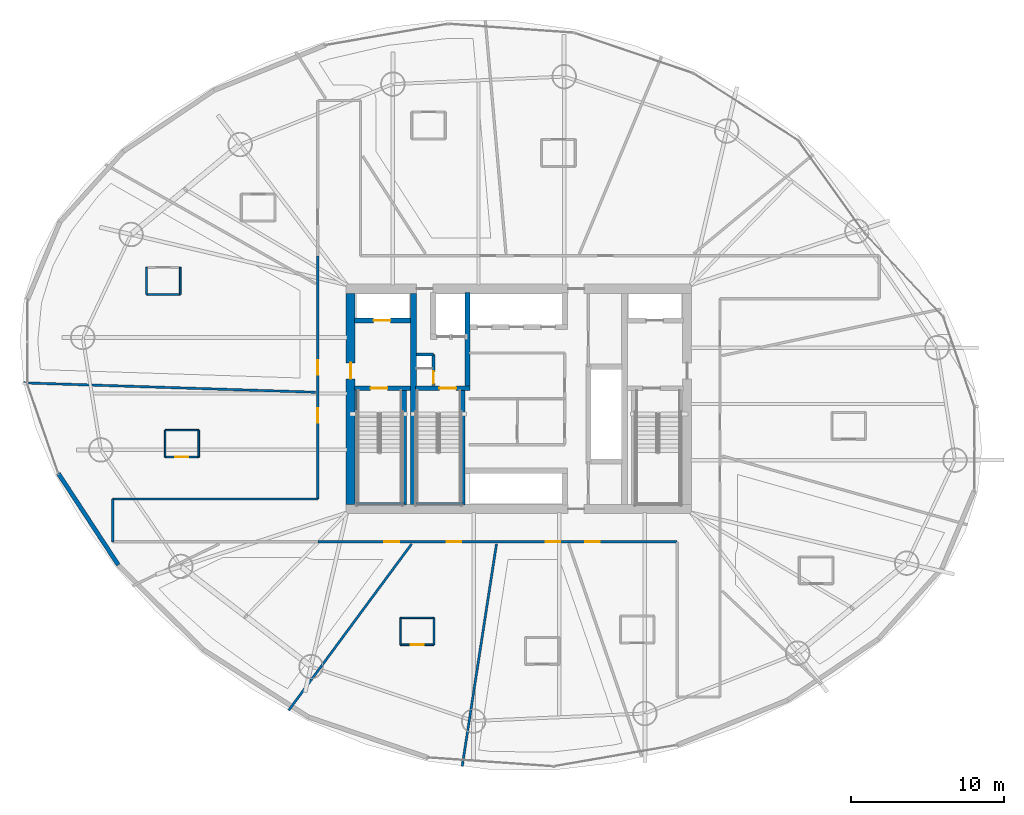
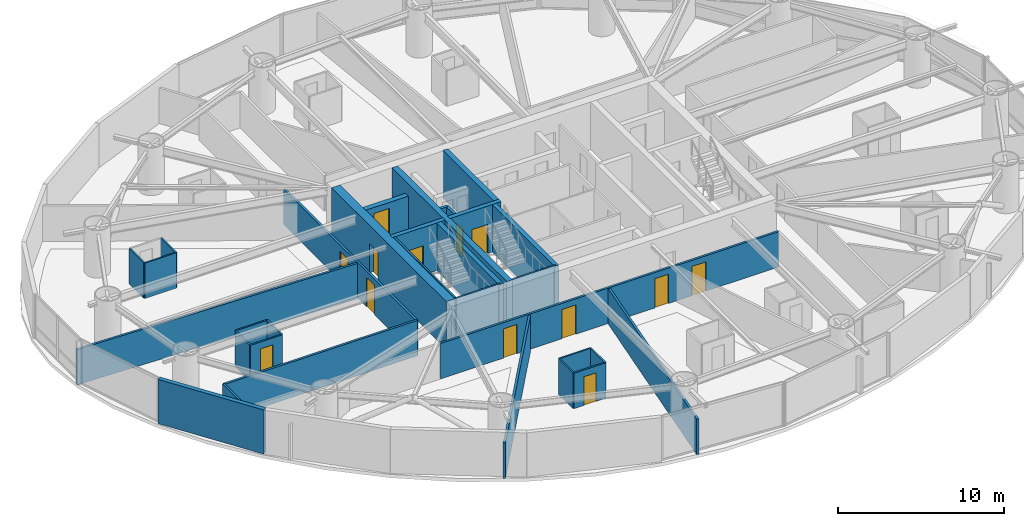
# One storey, part 20 of 27: 32 walls, 13 doors, 13 openings.
"""IFC4 building model written with IfcOpenShell, lengths in metres."""

from ifc_helpers import new_model, si_unit, direction, frame, frame_2d, origin, place, context, subcontext, project, spatial, rectangle, extrude, material, layer, layer_set, type_object, element, fill, save


model = new_model("IFC4")

# Units and contexts
model_context = context("Model", 3, precision=1e-05, world=origin(), true_north=direction((0.0, 1.0)))
body_context = subcontext(model_context, "Body", "Model", "MODEL_VIEW")
ifc_project = project(units=[si_unit("LENGTHUNIT", "METRE"), si_unit("AREAUNIT", "SQUARE_METRE"), si_unit("VOLUMEUNIT", "CUBIC_METRE"), si_unit("PLANEANGLEUNIT", "RADIAN"), si_unit("MASSUNIT", "GRAM", prefix="KILO")], contexts=[model_context])

# Site, building, storey
site_placement = place(None, origin())
site = spatial("IfcSite", under=ifc_project, at=site_placement, CompositionType="ELEMENT")
building_placement = place(site_placement, origin())
building = spatial("IfcBuilding", under=site, at=building_placement, Name="Bramvorn Convention Spire", CompositionType="ELEMENT")
storey_placement = place(building_placement, frame((0.0, 0.0, 79.89990234375)))
storey = spatial("IfcBuildingStorey", under=building, at=storey_placement, Name="L18", CompositionType="ELEMENT", Elevation=79.89990234375)

# Wall, opening, door
ifc_material_1 = material(Name="Concrete C60/70", Category="concrete")
ifc_layer_1 = layer(ifc_material_1, 0.60009765625)
ifc_layer_set_1 = layer_set([ifc_layer_1], Name="Concrete C60/70 - WL-CORE-600")
wall_type_1 = type_object("IfcWallType", Name="WL-CORE-600", PredefinedType="SHEAR", material=ifc_layer_set_1)
wall_1_placement = place(storey_placement, frame((27.0, 19.10009765625, 0.0), z_axis=(0.0, 0.0, 1.0), x_axis=(0.0, 1.0, 0.0)))
wall_1 = element("IfcWall", 1, at=wall_1_placement, inside=storey, type_object=wall_type_1, Name="L18 West RC core shear wall", PredefinedType="SHEAR", context=body_context, shape_type="SweptSolid", body=[
    extrude(rectangle(XDim=13.7998046875, YDim=0.60009765625, at=frame_2d((6.89990234375, 0.0))), origin(), (0.0, 0.0, 1.0), 3.5),
])
opening_1_placement = place(wall_1_placement, frame((8.199951171875, 0.0, 0.0)))
opening_1 = element("IfcOpeningElement", 2, at=opening_1_placement, cuts=wall_1, Name="Opening DL-105", PredefinedType="OPENING", context=body_context, shape_type="SweptSolid", body=[
    extrude(rectangle(XDim=1.050048828125, YDim=2.14990234375, at=frame_2d((0.52490234375, 1.074951171875))), frame((0.0, 0.31005859375, 0.0), z_axis=(0.0, -1.0, 0.0), x_axis=(1.0, 0.0, 0.0)), (0.0, 0.0, 1.0), 0.6201171875),
])
ifc_material_2 = material(Name="Smoke-Sealed Fire Lobby Timber-Core Door", Category="wood")
door_type_1 = type_object("IfcDoorType", Name="DR-LOBBY-1050", OperationType="NOTDEFINED", PredefinedType="DOOR", material=ifc_material_2)
door_1_placement = place(opening_1_placement, origin())
door_1 = element("IfcDoor", 3, at=door_1_placement, inside=storey, type_object=door_type_1, Name="L18 West Firefighting Lobby corridor door", OperationType="SINGLE_SWING_RIGHT", OverallHeight=2.14990234375, OverallWidth=1.050048828125, PredefinedType="DOOR", context=body_context, shape_type="SweptSolid", body=[
    extrude(rectangle(XDim=1.050048828125, YDim=2.14990234375, at=frame_2d((0.52490234375, 1.074951171875))), frame((0.0, 0.02490234375, 0.0), z_axis=(0.0, -1.0, 0.0), x_axis=(1.0, 0.0, 0.0)), (0.0, 0.0, 1.0), 0.050048828125),
])
fill(opening_1, door_1)

ifc_material_3 = material(Name="Concrete C50/60", Category="concrete")
ifc_layer_2 = layer(ifc_material_3, 0.35009765625)
ifc_layer_set_2 = layer_set([ifc_layer_2], Name="Concrete C50/60 - WL-CORE-INT-350")
wall_type_2 = type_object("IfcWallType", Name="WL-CORE-INT-350", PredefinedType="SHEAR", material=ifc_layer_set_2)
wall_2_placement = place(storey_placement, frame((27.25, 31.1201171875, 0.0), z_axis=(0.0, 0.0, 1.0), x_axis=(1.0, 0.0, 0.0)))
wall_2 = element("IfcWall", 4, at=wall_2_placement, inside=storey, type_object=wall_type_2, Name="L18 FE1 shaft front wall", PredefinedType="SHEAR", context=body_context, shape_type="SweptSolid", body=[
    extrude(rectangle(XDim=3.669921875, YDim=0.35009765625, at=frame_2d((1.8349609375, 0.0))), origin(), (0.0, 0.0, 1.0), 2.60009765625),
])
opening_2_placement = place(wall_2_placement, frame((1.25, 0.0, 0.0)))
opening_2 = element("IfcOpeningElement", 5, at=opening_2_placement, cuts=wall_2, Name="Opening LD-110", PredefinedType="OPENING", context=body_context, shape_type="SweptSolid", body=[
    extrude(rectangle(XDim=1.10009765625, YDim=2.14990234375, at=frame_2d((0.550048828125, 1.074951171875))), frame((0.0, 0.18505859375, 0.0), z_axis=(0.0, -1.0, 0.0), x_axis=(1.0, 0.0, 0.0)), (0.0, 0.0, 1.0), 0.3701171875),
])
ifc_material_4 = material(Name="Firefighting & Service Lift Sliding Landing Door", Category="steel")
door_type_2 = type_object("IfcDoorType", Name="DR-LIFT-LD-1100", OperationType="NOTDEFINED", PredefinedType="DOOR", material=ifc_material_4)
door_2_placement = place(opening_2_placement, origin())
door_2 = element("IfcDoor", 6, at=door_2_placement, inside=storey, type_object=door_type_2, Name="L18 Lift FE1 Sliding Landing Door", OperationType="SLIDING_TO_LEFT", OverallHeight=2.14990234375, OverallWidth=1.10009765625, PredefinedType="DOOR", context=body_context, shape_type="SweptSolid", body=[
    extrude(rectangle(XDim=1.10009765625, YDim=2.14990234375, at=frame_2d((0.550048828125, 1.074951171875))), frame((0.0, 0.02490234375, 0.0), z_axis=(0.0, -1.0, 0.0), x_axis=(1.0, 0.0, 0.0)), (0.0, 0.0, 1.0), 0.050048828125),
])
fill(opening_2, door_2)

# Walls
wall_3_placement = place(storey_placement, frame((34.639892578125, 26.68994140625, 0.0), z_axis=(0.0, 0.0, 1.0), x_axis=(0.0, 1.0, 0.0)))
element("IfcWall", 7, at=wall_3_placement, inside=storey, type_object=wall_type_2, Name="L18 SV east core shaft wall", PredefinedType="SHEAR", context=body_context, shape_type="SweptSolid", body=[
    extrude(rectangle(XDim=6.260009765625, YDim=0.35009765625, at=frame_2d((3.1298828125, 0.0))), origin(), (0.0, 0.0, 1.0), 3.5),
])
ifc_layer_3 = layer(ifc_material_1, 0.39990234375)
ifc_layer_set_3 = layer_set([ifc_layer_3], Name="Concrete C60/70 - WL-CORE-INT-400")
wall_type_3 = type_object("IfcWallType", Name="WL-CORE-INT-400", PredefinedType="SHEAR", material=ifc_layer_set_3)
wall_4_placement = place(storey_placement, frame((31.10009765625, 19.10009765625, 0.0), z_axis=(0.0, 0.0, 1.0), x_axis=(0.0, 1.0, 0.0)))
element("IfcWall", 8, at=wall_4_placement, inside=storey, type_object=wall_type_3, Name="L18 West internal core shear web", PredefinedType="SHEAR", context=body_context, shape_type="SweptSolid", body=[
    extrude(rectangle(XDim=13.7998046875, YDim=0.39990234375, at=frame_2d((6.89990234375, 0.0))), origin(), (0.0, 0.0, 1.0), 3.5),
])
ifc_material_5 = material(Name="Precast Concrete C40/50 with Bronze Terracotta Rainscreen", Category="masonry")
ifc_layer_4 = layer(ifc_material_5, 0.300048828125)
ifc_layer_set_4 = layer_set([ifc_layer_4], Name="Precast Concrete C40/50 with Bronze Terracotta Rainscreen - WL-EXT-BRONZE-300")
wall_type_4 = type_object("IfcWallType", Name="WL-EXT-BRONZE-300", PredefinedType="SOLIDWALL", material=ifc_layer_set_4)
wall_5_placement = place(storey_placement, frame((11.805908203125, 15.13818359375, 0.0), z_axis=(0.0, 0.0, 1.0), x_axis=(-0.548104595081, 0.83640979959, 0.0)))
element("IfcWall", 9, at=wall_5_placement, inside=storey, type_object=wall_type_4, Name="L18 expressed bronze Gothic lancet pier wall 15", PredefinedType="SOLIDWALL", context=body_context, shape_type="SweptSolid", body=[
    extrude(rectangle(XDim=7.142822265625, YDim=0.280029296875, at=frame_2d((3.5712890625, 0.0))), origin(), (0.0, 0.0, 1.0), 3.25),
])
ifc_material_6 = material(Name="Lightweight En-Suite & Wet-Wall Partition", Category="gypsum")
ifc_layer_5 = layer(ifc_material_6, 0.110107421875)
ifc_layer_set_5 = layer_set([ifc_layer_5], Name="Lightweight En-Suite & Wet-Wall Partition - WL-PART-110")
wall_type_5 = type_object("IfcWallType", Name="WL-PART-110", PredefinedType="PARTITIONING", material=ifc_layer_set_5)
wall_6_placement = place(storey_placement, frame((13.654296875, 32.826416015625, 0.0), z_axis=(0.0, 0.0, 1.0), x_axis=(1.0, 0.0, 0.0)))
element("IfcWall", 10, at=wall_6_placement, inside=storey, type_object=wall_type_5, Name="Hotel Suite 1806 en-suite south wall", PredefinedType="PARTITIONING", context=body_context, shape_type="SweptSolid", body=[
    extrude(rectangle(XDim=2.199951171875, YDim=0.110107421875, at=frame_2d((1.10009765625, 0.0))), origin(), (0.0, 0.0, 1.0), 2.60009765625),
])
for number, where, z_axis, x_axis, name in (
    (11, (13.654296875, 32.826416015625, 0.0), (0.0, 0.0, 1.0), (0.0, 1.0, 0.0), "Hotel Suite 1806 en-suite west wall"),
    (12, (15.854248046875, 32.826416015625, 0.0), (0.0, 0.0, 1.0), (0.0, 1.0, 0.0), "Hotel Suite 1806 en-suite east wall"),
):
    element("IfcWall", number, at=place(storey_placement, frame(where, z_axis=z_axis, x_axis=x_axis)), inside=storey, type_object=wall_type_5, Name=name, PredefinedType="PARTITIONING", context=body_context, shape_type="SweptSolid", body=[
        extrude(rectangle(XDim=1.760009765625, YDim=0.110107421875, at=frame_2d((0.8798828125, 0.0))), origin(), (0.0, 0.0, 1.0), 2.60009765625),
    ])

# Wall, opening, door
wall_7_placement = place(storey_placement, frame((14.86669921875, 22.19189453125, 0.0), z_axis=(0.0, 0.0, 1.0), x_axis=(1.0, 0.0, 0.0)))
wall_7 = element("IfcWall", 13, at=wall_7_placement, inside=storey, type_object=wall_type_5, Name="Hotel Suite 1807 en-suite south wall", PredefinedType="PARTITIONING", context=body_context, shape_type="SweptSolid", body=[
    extrude(rectangle(XDim=2.199951171875, YDim=0.110107421875, at=frame_2d((1.10009765625, 0.0))), origin(), (0.0, 0.0, 1.0), 2.60009765625),
])
opening_3_placement = place(wall_7_placement, frame((0.679931640625, 0.0, 0.0)))
opening_3 = element("IfcOpeningElement", 14, at=opening_3_placement, cuts=wall_7, Name="Opening DI-085", PredefinedType="OPENING", context=body_context, shape_type="SweptSolid", body=[
    extrude(rectangle(XDim=0.85009765625, YDim=2.10009765625, at=frame_2d((0.425048828125, 1.050048828125))), frame((0.0, 0.06494140625, 0.0), z_axis=(0.0, -1.0, 0.0), x_axis=(1.0, 0.0, 0.0)), (0.0, 0.0, 1.0), 0.130126953125),
])
ifc_material_7 = material(Name="En-Suite & Restroom Privacy Door", Category="wood")
door_type_3 = type_object("IfcDoorType", Name="DR-INT-850", OperationType="NOTDEFINED", PredefinedType="DOOR", material=ifc_material_7)
door_3_placement = place(opening_3_placement, origin())
door_3 = element("IfcDoor", 15, at=door_3_placement, inside=storey, type_object=door_type_3, Name="Hotel Suite 1807 En-Suite Bathroom door", OperationType="SINGLE_SWING_LEFT", OverallHeight=2.10009765625, OverallWidth=0.85009765625, PredefinedType="DOOR", context=body_context, shape_type="SweptSolid", body=[
    extrude(rectangle(XDim=0.85009765625, YDim=2.10009765625, at=frame_2d((0.425048828125, 1.050048828125))), frame((0.0, 0.02490234375, 0.0), z_axis=(0.0, -1.0, 0.0), x_axis=(1.0, 0.0, 0.0)), (0.0, 0.0, 1.0), 0.050048828125),
])
fill(opening_3, door_3)

# Walls
wall_8_placement = place(storey_placement, frame((14.86669921875, 23.951904296875, 0.0), z_axis=(0.0, 0.0, 1.0), x_axis=(1.0, 0.0, 0.0)))
element("IfcWall", 16, at=wall_8_placement, inside=storey, type_object=wall_type_5, Name="Hotel Suite 1807 en-suite north wall", PredefinedType="PARTITIONING", context=body_context, shape_type="SweptSolid", body=[
    extrude(rectangle(XDim=2.199951171875, YDim=0.110107421875, at=frame_2d((1.10009765625, 0.0))), origin(), (0.0, 0.0, 1.0), 2.60009765625),
])
for number, where, z_axis, x_axis, name in (
    (17, (14.86669921875, 22.19189453125, 0.0), (0.0, 0.0, 1.0), (0.0, 1.0, 0.0), "Hotel Suite 1807 en-suite west wall"),
    (18, (17.066650390625, 22.19189453125, 0.0), (0.0, 0.0, 1.0), (0.0, 1.0, 0.0), "Hotel Suite 1807 en-suite east wall"),
):
    element("IfcWall", number, at=place(storey_placement, frame(where, z_axis=z_axis, x_axis=x_axis)), inside=storey, type_object=wall_type_5, Name=name, PredefinedType="PARTITIONING", context=body_context, shape_type="SweptSolid", body=[
        extrude(rectangle(XDim=1.760009765625, YDim=0.110107421875, at=frame_2d((0.8798828125, 0.0))), origin(), (0.0, 0.0, 1.0), 2.60009765625),
    ])

# Wall, opening, door
wall_9_placement = place(storey_placement, frame((30.249267578125, 9.91650390625, 0.0), z_axis=(0.0, 0.0, 1.0), x_axis=(1.0, 0.0, 0.0)))
wall_9 = element("IfcWall", 19, at=wall_9_placement, inside=storey, type_object=wall_type_5, Name="Hotel Suite 1809 en-suite south wall", PredefinedType="PARTITIONING", context=body_context, shape_type="SweptSolid", body=[
    extrude(rectangle(XDim=2.199951171875, YDim=0.110107421875, at=frame_2d((1.10009765625, 0.0))), origin(), (0.0, 0.0, 1.0), 2.60009765625),
])
opening_4_placement = place(wall_9_placement, frame((0.679931640625, 0.0, 0.0)))
opening_4 = element("IfcOpeningElement", 20, at=opening_4_placement, cuts=wall_9, Name="Opening DI-085", PredefinedType="OPENING", context=body_context, shape_type="SweptSolid", body=[
    extrude(rectangle(XDim=0.85009765625, YDim=2.10009765625, at=frame_2d((0.425048828125, 1.050048828125))), frame((0.0, 0.06494140625, 0.0), z_axis=(0.0, -1.0, 0.0), x_axis=(1.0, 0.0, 0.0)), (0.0, 0.0, 1.0), 0.130126953125),
])
door_4_placement = place(opening_4_placement, origin())
door_4 = element("IfcDoor", 21, at=door_4_placement, inside=storey, type_object=door_type_3, Name="Hotel Suite 1809 En-Suite Bathroom door", OperationType="SINGLE_SWING_LEFT", OverallHeight=2.10009765625, OverallWidth=0.85009765625, PredefinedType="DOOR", context=body_context, shape_type="SweptSolid", body=[
    extrude(rectangle(XDim=0.85009765625, YDim=2.10009765625, at=frame_2d((0.425048828125, 1.050048828125))), frame((0.0, 0.02490234375, 0.0), z_axis=(0.0, -1.0, 0.0), x_axis=(1.0, 0.0, 0.0)), (0.0, 0.0, 1.0), 0.050048828125),
])
fill(opening_4, door_4)

# Walls
wall_10_placement = place(storey_placement, frame((30.249267578125, 11.676513671875, 0.0), z_axis=(0.0, 0.0, 1.0), x_axis=(1.0, 0.0, 0.0)))
element("IfcWall", 22, at=wall_10_placement, inside=storey, type_object=wall_type_5, Name="Hotel Suite 1809 en-suite north wall", PredefinedType="PARTITIONING", context=body_context, shape_type="SweptSolid", body=[
    extrude(rectangle(XDim=2.199951171875, YDim=0.110107421875, at=frame_2d((1.10009765625, 0.0))), origin(), (0.0, 0.0, 1.0), 2.60009765625),
])
for number, where, z_axis, x_axis, name in (
    (23, (30.249267578125, 9.91650390625, 0.0), (0.0, 0.0, 1.0), (0.0, 1.0, 0.0), "Hotel Suite 1809 en-suite west wall"),
    (24, (32.44921875, 9.91650390625, 0.0), (0.0, 0.0, 1.0), (0.0, 1.0, 0.0), "Hotel Suite 1809 en-suite east wall"),
):
    element("IfcWall", number, at=place(storey_placement, frame(where, z_axis=z_axis, x_axis=x_axis)), inside=storey, type_object=wall_type_5, Name=name, PredefinedType="PARTITIONING", context=body_context, shape_type="SweptSolid", body=[
        extrude(rectangle(XDim=1.760009765625, YDim=0.110107421875, at=frame_2d((0.8798828125, 0.0))), origin(), (0.0, 0.0, 1.0), 2.60009765625),
    ])

# Wall, openings, doors
ifc_material_8 = material(Name="Acoustic Metal-Stud Tenant/Corridor Partition", Category="gypsum")
ifc_layer_6 = layer(ifc_material_8, 0.14990234375)
ifc_layer_set_6 = layer_set([ifc_layer_6], Name="Acoustic Metal-Stud Tenant/Corridor Partition - WL-PART-150")
wall_type_6 = type_object("IfcWallType", Name="WL-PART-150", PredefinedType="PARTITIONING", material=ifc_layer_set_6)
wall_11_placement = place(storey_placement, frame((24.85009765625, 16.64990234375, 0.0), z_axis=(0.0, 0.0, 1.0), x_axis=(1.0, 0.0, 0.0)))
wall_11 = element("IfcWall", 25, at=wall_11_placement, inside=storey, type_object=wall_type_6, Name="L18 South ring corridor wall", PredefinedType="PARTITIONING", context=body_context, shape_type="SweptSolid", body=[
    extrude(rectangle(XDim=23.5, YDim=0.14990234375, at=frame_2d((11.75, 0.0))), origin(), (0.0, 0.0, 1.0), 2.60009765625),
])
opening_5_placement = place(wall_11_placement, frame((4.361572265625, 0.0, 0.0)))
opening_5 = element("IfcOpeningElement", 26, at=opening_5_placement, cuts=wall_11, Name="Opening DH-095", PredefinedType="OPENING", context=body_context, shape_type="SweptSolid", body=[
    extrude(rectangle(XDim=0.949951171875, YDim=2.14990234375, at=frame_2d((0.47509765625, 1.074951171875))), frame((0.0, 0.0849609375, 0.0), z_axis=(0.0, -1.0, 0.0), x_axis=(1.0, 0.0, 0.0)), (0.0, 0.0, 1.0), 0.169921875),
])
opening_6_placement = place(wall_11_placement, frame((8.439208984375, 0.0, 0.0)))
opening_6 = element("IfcOpeningElement", 27, at=opening_6_placement, cuts=wall_11, Name="Opening DH-095", PredefinedType="OPENING", context=body_context, shape_type="SweptSolid", body=[
    extrude(rectangle(XDim=0.949951171875, YDim=2.14990234375, at=frame_2d((0.47509765625, 1.074951171875))), frame((0.0, 0.0849609375, 0.0), z_axis=(0.0, -1.0, 0.0), x_axis=(1.0, 0.0, 0.0)), (0.0, 0.0, 1.0), 0.169921875),
])
opening_7_placement = place(wall_11_placement, frame((14.892822265625, 0.0, 0.0)))
opening_7 = element("IfcOpeningElement", 28, at=opening_7_placement, cuts=wall_11, Name="Opening DH-095", PredefinedType="OPENING", context=body_context, shape_type="SweptSolid", body=[
    extrude(rectangle(XDim=0.949951171875, YDim=2.14990234375, at=frame_2d((0.47509765625, 1.074951171875))), frame((0.0, 0.0849609375, 0.0), z_axis=(0.0, -1.0, 0.0), x_axis=(1.0, 0.0, 0.0)), (0.0, 0.0, 1.0), 0.169921875),
])
opening_8_placement = place(wall_11_placement, frame((17.47509765625, 0.0, 0.0)))
opening_8 = element("IfcOpeningElement", 29, at=opening_8_placement, cuts=wall_11, Name="Opening DH-095", PredefinedType="OPENING", context=body_context, shape_type="SweptSolid", body=[
    extrude(rectangle(XDim=0.949951171875, YDim=2.14990234375, at=frame_2d((0.47509765625, 1.074951171875))), frame((0.0, 0.0849609375, 0.0), z_axis=(0.0, -1.0, 0.0), x_axis=(1.0, 0.0, 0.0)), (0.0, 0.0, 1.0), 0.169921875),
])
ifc_material_9 = material(Name="Solid-Core Acoustic Guestroom Entry Door", Category="wood")
door_type_4 = type_object("IfcDoorType", Name="DR-HOTEL-950", OperationType="NOTDEFINED", PredefinedType="DOOR", material=ifc_material_9)
door_5_placement = place(opening_5_placement, origin())
door_5 = element("IfcDoor", 30, at=door_5_placement, inside=storey, type_object=door_type_4, Name="Hotel Suite 1808 entry door", OperationType="SINGLE_SWING_RIGHT", OverallHeight=2.14990234375, OverallWidth=0.949951171875, PredefinedType="DOOR", context=body_context, shape_type="SweptSolid", body=[
    extrude(rectangle(XDim=0.949951171875, YDim=2.14990234375, at=frame_2d((0.47509765625, 1.074951171875))), frame((0.0, 0.02490234375, 0.0), z_axis=(0.0, -1.0, 0.0), x_axis=(1.0, 0.0, 0.0)), (0.0, 0.0, 1.0), 0.050048828125),
])
fill(opening_5, door_5)
door_6_placement = place(opening_6_placement, origin())
door_6 = element("IfcDoor", 31, at=door_6_placement, inside=storey, type_object=door_type_4, Name="Hotel Suite 1809 entry door", OperationType="SINGLE_SWING_RIGHT", OverallHeight=2.14990234375, OverallWidth=0.949951171875, PredefinedType="DOOR", context=body_context, shape_type="SweptSolid", body=[
    extrude(rectangle(XDim=0.949951171875, YDim=2.14990234375, at=frame_2d((0.47509765625, 1.074951171875))), frame((0.0, 0.02490234375, 0.0), z_axis=(0.0, -1.0, 0.0), x_axis=(1.0, 0.0, 0.0)), (0.0, 0.0, 1.0), 0.050048828125),
])
fill(opening_6, door_6)
door_7_placement = place(opening_7_placement, origin())
door_7 = element("IfcDoor", 32, at=door_7_placement, inside=storey, type_object=door_type_4, Name="Hotel Suite 1810 entry door", OperationType="SINGLE_SWING_RIGHT", OverallHeight=2.14990234375, OverallWidth=0.949951171875, PredefinedType="DOOR", context=body_context, shape_type="SweptSolid", body=[
    extrude(rectangle(XDim=0.949951171875, YDim=2.14990234375, at=frame_2d((0.47509765625, 1.074951171875))), frame((0.0, 0.02490234375, 0.0), z_axis=(0.0, -1.0, 0.0), x_axis=(1.0, 0.0, 0.0)), (0.0, 0.0, 1.0), 0.050048828125),
])
fill(opening_7, door_7)
door_8_placement = place(opening_8_placement, origin())
door_8 = element("IfcDoor", 33, at=door_8_placement, inside=storey, type_object=door_type_4, Name="Hotel Suite 1811 entry door", OperationType="SINGLE_SWING_LEFT", OverallHeight=2.14990234375, OverallWidth=0.949951171875, PredefinedType="DOOR", context=body_context, shape_type="SweptSolid", body=[
    extrude(rectangle(XDim=0.949951171875, YDim=2.14990234375, at=frame_2d((0.47509765625, 1.074951171875))), frame((0.0, 0.02490234375, 0.0), z_axis=(0.0, -1.0, 0.0), x_axis=(1.0, 0.0, 0.0)), (0.0, 0.0, 1.0), 0.050048828125),
])
fill(opening_8, door_8)

wall_12_placement = place(storey_placement, frame((24.85009765625, 19.449951171875, 0.0), z_axis=(0.0, 0.0, 1.0), x_axis=(0.0, 1.0, 0.0)))
wall_12 = element("IfcWall", 34, at=wall_12_placement, inside=storey, type_object=wall_type_6, Name="L18 West ring corridor wall", PredefinedType="PARTITIONING", context=body_context, shape_type="SweptSolid", body=[
    extrude(rectangle(XDim=15.900146484375, YDim=0.14990234375, at=frame_2d((7.9501953125, 0.0))), origin(), (0.0, 0.0, 1.0), 2.60009765625),
])
opening_9_placement = place(wall_12_placement, frame((8.12841796875, 0.0, 0.0)))
opening_9 = element("IfcOpeningElement", 35, at=opening_9_placement, cuts=wall_12, Name="Opening DH-095", PredefinedType="OPENING", context=body_context, shape_type="SweptSolid", body=[
    extrude(rectangle(XDim=0.949951171875, YDim=2.14990234375, at=frame_2d((0.47509765625, 1.074951171875))), frame((0.0, 0.0849609375, 0.0), z_axis=(0.0, -1.0, 0.0), x_axis=(1.0, 0.0, 0.0)), (0.0, 0.0, 1.0), 0.169921875),
])
opening_10_placement = place(wall_12_placement, frame((4.98046875, 0.0, 0.0)))
opening_10 = element("IfcOpeningElement", 36, at=opening_10_placement, cuts=wall_12, Name="Opening DH-095", PredefinedType="OPENING", context=body_context, shape_type="SweptSolid", body=[
    extrude(rectangle(XDim=0.949951171875, YDim=2.14990234375, at=frame_2d((0.47509765625, 1.074951171875))), frame((0.0, 0.0849609375, 0.0), z_axis=(0.0, -1.0, 0.0), x_axis=(1.0, 0.0, 0.0)), (0.0, 0.0, 1.0), 0.169921875),
])
door_9_placement = place(opening_9_placement, origin())
door_9 = element("IfcDoor", 37, at=door_9_placement, inside=storey, type_object=door_type_4, Name="Hotel Suite 1806 entry door", OperationType="SINGLE_SWING_RIGHT", OverallHeight=2.14990234375, OverallWidth=0.949951171875, PredefinedType="DOOR", context=body_context, shape_type="SweptSolid", body=[
    extrude(rectangle(XDim=0.949951171875, YDim=2.14990234375, at=frame_2d((0.47509765625, 1.074951171875))), frame((0.0, 0.02490234375, 0.0), z_axis=(0.0, -1.0, 0.0), x_axis=(1.0, 0.0, 0.0)), (0.0, 0.0, 1.0), 0.050048828125),
])
fill(opening_9, door_9)
door_10_placement = place(opening_10_placement, origin())
door_10 = element("IfcDoor", 38, at=door_10_placement, inside=storey, type_object=door_type_4, Name="Hotel Suite 1807 entry door", OperationType="SINGLE_SWING_LEFT", OverallHeight=2.14990234375, OverallWidth=0.949951171875, PredefinedType="DOOR", context=body_context, shape_type="SweptSolid", body=[
    extrude(rectangle(XDim=0.949951171875, YDim=2.14990234375, at=frame_2d((0.47509765625, 1.074951171875))), frame((0.0, 0.02490234375, 0.0), z_axis=(0.0, -1.0, 0.0), x_axis=(1.0, 0.0, 0.0)), (0.0, 0.0, 1.0), 0.050048828125),
])
fill(opening_10, door_10)

# Walls
wall_13_placement = place(storey_placement, frame((11.439208984375, 19.449951171875, 0.0), z_axis=(0.0, 0.0, 1.0), x_axis=(1.0, 0.0, 0.0)))
element("IfcWall", 39, at=wall_13_placement, inside=storey, type_object=wall_type_6, Name="L18 SW pinwheel wing north wall", PredefinedType="PARTITIONING", context=body_context, shape_type="SweptSolid", body=[
    extrude(rectangle(XDim=13.410888671875, YDim=0.14990234375, at=frame_2d((6.70556640625, 0.0))), origin(), (0.0, 0.0, 1.0), 2.60009765625),
])
wall_14_placement = place(storey_placement, frame((11.439208984375, 16.64990234375, 0.0), z_axis=(0.0, 0.0, 1.0), x_axis=(0.0, 1.0, 0.0)))
element("IfcWall", 40, at=wall_14_placement, inside=storey, type_object=wall_type_6, Name="L18 SW pinwheel end wall", PredefinedType="PARTITIONING", context=body_context, shape_type="SweptSolid", body=[
    extrude(rectangle(XDim=2.800048828125, YDim=0.14990234375, at=frame_2d((1.39990234375, 0.0))), origin(), (0.0, 0.0, 1.0), 2.60009765625),
])
wall_15_placement = place(storey_placement, frame((24.7099609375, 26.428466796875, 0.0), z_axis=(0.0, 0.0, 1.0), x_axis=(-0.99948130829, 0.032204260266, 0.0)))
element("IfcWall", 41, at=wall_15_placement, inside=storey, type_object=wall_type_6, Name="L18 Guestroom demising wall 7", PredefinedType="PARTITIONING", context=body_context, shape_type="SweptSolid", body=[
    extrude(rectangle(XDim=19.119384765625, YDim=0.14990234375, at=frame_2d((9.5595703125, 0.0))), origin(), (0.0, 0.0, 1.0), 2.60009765625),
])
wall_16_placement = place(storey_placement, frame((30.987548828125, 16.510009765625, 0.0), z_axis=(0.0, 0.0, 1.0), x_axis=(-0.594283048569, -0.804255965587, 0.0)))
element("IfcWall", 42, at=wall_16_placement, inside=storey, type_object=wall_type_6, Name="L18 Guestroom demising wall 9", PredefinedType="PARTITIONING", context=body_context, shape_type="SweptSolid", body=[
    extrude(rectangle(XDim=13.53759765625, YDim=0.14990234375, at=frame_2d((6.768798828125, 0.0))), origin(), (0.0, 0.0, 1.0), 2.60009765625),
])
wall_17_placement = place(storey_placement, frame((36.5361328125, 16.510009765625, 0.0), z_axis=(0.0, 0.0, 1.0), x_axis=(-0.152461170768, -0.988309461357, 0.0)))
element("IfcWall", 43, at=wall_17_placement, inside=storey, type_object=wall_type_6, Name="L18 Guestroom demising wall 10", PredefinedType="PARTITIONING", context=body_context, shape_type="SweptSolid", body=[
    extrude(rectangle(XDim=14.713134765625, YDim=0.14990234375, at=frame_2d((7.3564453125, 0.0))), origin(), (0.0, 0.0, 1.0), 2.60009765625),
])

# Wall, opening, door
ifc_material_10 = material(Name="Gypsum Shaftwall & Rockwool Core Partition", Category="gypsum")
ifc_layer_7 = layer(ifc_material_10, 0.199951171875)
ifc_layer_set_7 = layer_set([ifc_layer_7], Name="Gypsum Shaftwall & Rockwool Core Partition - WL-PART-200-FR")
wall_type_7 = type_object("IfcWallType", Name="WL-PART-200-FR", PredefinedType="PARTITIONING", material=ifc_layer_set_7)
wall_18_placement = place(storey_placement, frame((32.419921875, 26.860107421875, 0.0), z_axis=(0.0, 0.0, 1.0), x_axis=(0.0, 1.0, 0.0)))
wall_18 = element("IfcWall", 44, at=wall_18_placement, inside=storey, type_object=wall_type_7, Name="L18 Telecom riser east wall", PredefinedType="PARTITIONING", context=body_context, shape_type="SweptSolid", body=[
    extrude(rectangle(XDim=2.039794921875, YDim=0.199951171875, at=frame_2d((1.02001953125, 0.0))), origin(), (0.0, 0.0, 1.0), 2.60009765625),
])
opening_11_placement = place(wall_18_placement, frame((0.139892578125, 0.0, 0.0)))
opening_11 = element("IfcOpeningElement", 45, at=opening_11_placement, cuts=wall_18, Name="Opening DR-080", PredefinedType="OPENING", context=body_context, shape_type="SweptSolid", body=[
    extrude(rectangle(XDim=0.800048828125, YDim=2.050048828125, at=frame_2d((0.39990234375, 1.02490234375))), frame((0.0, 0.10986328125, 0.0), z_axis=(0.0, -1.0, 0.0), x_axis=(1.0, 0.0, 0.0)), (0.0, 0.0, 1.0), 0.219970703125),
])
ifc_material_11 = material(Name="Flush Steel Riser Access Door", Category="steel")
door_type_5 = type_object("IfcDoorType", Name="DR-RISER-800", OperationType="NOTDEFINED", PredefinedType="DOOR", material=ifc_material_11)
door_11_placement = place(opening_11_placement, origin())
door_11 = element("IfcDoor", 46, at=door_11_placement, inside=storey, type_object=door_type_5, Name="L18 Telecom riser access door", OperationType="SINGLE_SWING_RIGHT", OverallHeight=2.050048828125, OverallWidth=0.800048828125, PredefinedType="DOOR", context=body_context, shape_type="SweptSolid", body=[
    extrude(rectangle(XDim=0.800048828125, YDim=2.050048828125, at=frame_2d((0.39990234375, 1.02490234375))), frame((0.0, 0.02490234375, 0.0), z_axis=(0.0, -1.0, 0.0), x_axis=(1.0, 0.0, 0.0)), (0.0, 0.0, 1.0), 0.050048828125),
])
fill(opening_11, door_11)

# Wall
wall_19_placement = place(storey_placement, frame((31.300048828125, 28.89990234375, 0.0), z_axis=(0.0, 0.0, 1.0), x_axis=(1.0, 0.0, 0.0)))
element("IfcWall", 47, at=wall_19_placement, inside=storey, type_object=wall_type_7, Name="L18 Telecom riser north wall", PredefinedType="PARTITIONING", context=body_context, shape_type="SweptSolid", body=[
    extrude(rectangle(XDim=1.119873046875, YDim=0.199951171875, at=frame_2d((0.56005859375, 0.0))), origin(), (0.0, 0.0, 1.0), 2.60009765625),
])

# Wall, opening, door
ifc_layer_8 = layer(ifc_material_3, 0.300048828125)
ifc_layer_set_8 = layer_set([ifc_layer_8], Name="Concrete C50/60 - WL-POD-STAIR-300")
wall_type_8 = type_object("IfcWallType", Name="WL-POD-STAIR-300", PredefinedType="SHEAR", material=ifc_layer_set_8)
wall_20_placement = place(storey_placement, frame((27.25, 26.68994140625, 0.0), z_axis=(0.0, 0.0, 1.0), x_axis=(1.0, 0.0, 0.0)))
wall_20 = element("IfcWall", 48, at=wall_20_placement, inside=storey, type_object=wall_type_8, Name="L18 ST1 north fire wall", PredefinedType="SHEAR", context=body_context, shape_type="SweptSolid", body=[
    extrude(rectangle(XDim=3.669921875, YDim=0.300048828125, at=frame_2d((1.8349609375, 0.0))), origin(), (0.0, 0.0, 1.0), 3.5),
])
opening_12_placement = place(wall_20_placement, frame((1.050048828125, 0.0, 0.0)))
opening_12 = element("IfcOpeningElement", 49, at=opening_12_placement, cuts=wall_20, Name="Opening DS-110", PredefinedType="OPENING", context=body_context, shape_type="SweptSolid", body=[
    extrude(rectangle(XDim=1.10009765625, YDim=2.14990234375, at=frame_2d((0.550048828125, 1.074951171875))), frame((0.0, 0.159912109375, 0.0), z_axis=(0.0, -1.0, 0.0), x_axis=(1.0, 0.0, 0.0)), (0.0, 0.0, 1.0), 0.320068359375),
])
ifc_material_12 = material(Name="Fire-Rated Hollow Steel Stairwell Door", Category="steel")
door_type_6 = type_object("IfcDoorType", Name="DR-STAIR-1100", OperationType="NOTDEFINED", PredefinedType="DOOR", material=ifc_material_12)
door_12_placement = place(opening_12_placement, origin())
door_12 = element("IfcDoor", 50, at=door_12_placement, inside=storey, type_object=door_type_6, Name="L18 Stair ST1 fire door", OperationType="SINGLE_SWING_LEFT", OverallHeight=2.14990234375, OverallWidth=1.10009765625, PredefinedType="DOOR", context=body_context, shape_type="SweptSolid", body=[
    extrude(rectangle(XDim=1.10009765625, YDim=2.14990234375, at=frame_2d((0.550048828125, 1.074951171875))), frame((0.0, 0.02490234375, 0.0), z_axis=(0.0, -1.0, 0.0), x_axis=(1.0, 0.0, 0.0)), (0.0, 0.0, 1.0), 0.050048828125),
])
fill(opening_12, door_12)

# Walls
for number, where, z_axis, x_axis, name in (
    (51, (30.489990234375, 19.050048828125, 0.0), (0.0, 0.0, 1.0), (0.0, 1.0, 0.0), "L18 ST1 east bearing wall"),
    (52, (34.340087890625, 19.050048828125, 0.0), (0.0, 0.0, 1.0), (0.0, 1.0, 0.0), "L18 ST3 east bearing wall"),
):
    element("IfcWall", number, at=place(storey_placement, frame(where, z_axis=z_axis, x_axis=x_axis)), inside=storey, type_object=wall_type_8, Name=name, PredefinedType="SHEAR", context=body_context, shape_type="SweptSolid", body=[
        extrude(rectangle(XDim=7.5, YDim=0.300048828125, at=frame_2d((3.75, 0.0))), origin(), (0.0, 0.0, 1.0), 3.5),
    ])

# Wall, opening, door
wall_21_placement = place(storey_placement, frame((31.25, 26.68994140625, 0.0), z_axis=(0.0, 0.0, 1.0), x_axis=(1.0, 0.0, 0.0)))
wall_21 = element("IfcWall", 53, at=wall_21_placement, inside=storey, type_object=wall_type_8, Name="L18 ST3 north lobby wall", PredefinedType="SHEAR", context=body_context, shape_type="SweptSolid", body=[
    extrude(rectangle(XDim=3.56005859375, YDim=0.300048828125, at=frame_2d((1.780029296875, 0.0))), origin(), (0.0, 0.0, 1.0), 3.5),
])
opening_13_placement = place(wall_21_placement, frame((1.550048828125, 0.0, 0.0)))
opening_13 = element("IfcOpeningElement", 54, at=opening_13_placement, cuts=wall_21, Name="Opening DS-110", PredefinedType="OPENING", context=body_context, shape_type="SweptSolid", body=[
    extrude(rectangle(XDim=1.10009765625, YDim=2.14990234375, at=frame_2d((0.550048828125, 1.074951171875))), frame((0.0, 0.159912109375, 0.0), z_axis=(0.0, -1.0, 0.0), x_axis=(1.0, 0.0, 0.0)), (0.0, 0.0, 1.0), 0.320068359375),
])
door_13_placement = place(opening_13_placement, origin())
door_13 = element("IfcDoor", 55, at=door_13_placement, inside=storey, type_object=door_type_6, Name="L18 Stair ST3 fire door", OperationType="SINGLE_SWING_LEFT", OverallHeight=2.14990234375, OverallWidth=1.10009765625, PredefinedType="DOOR", context=body_context, shape_type="SweptSolid", body=[
    extrude(rectangle(XDim=1.10009765625, YDim=2.14990234375, at=frame_2d((0.550048828125, 1.074951171875))), frame((0.0, 0.02490234375, 0.0), z_axis=(0.0, -1.0, 0.0), x_axis=(1.0, 0.0, 0.0)), (0.0, 0.0, 1.0), 0.050048828125),
])
fill(opening_13, door_13)

# Walls
ifc_layer_9 = layer(ifc_material_3, 0.1201171875)
ifc_layer_set_9 = layer_set([ifc_layer_9], Name="Concrete C50/60 - WL-STAIR-RC-120")
wall_type_9 = type_object("IfcWallType", Name="WL-STAIR-RC-120", PredefinedType="SHEAR", material=ifc_layer_set_9)
wall_22_placement = place(storey_placement, frame((27.39501953125, 19.10009765625, 0.0), z_axis=(0.0, 0.0, 1.0), x_axis=(0.0, 1.0, 0.0)))
element("IfcWall", 56, at=wall_22_placement, inside=storey, type_object=wall_type_9, Name="L18 ST1 west bearing shear wall", PredefinedType="SHEAR", context=body_context, shape_type="SweptSolid", body=[
    extrude(rectangle(XDim=7.449951171875, YDim=0.1201171875, at=frame_2d((3.72509765625, 0.0))), origin(), (0.0, 0.0, 1.0), 3.5),
])
wall_23_placement = place(storey_placement, frame((27.39501953125, 19.159912109375, 0.0), z_axis=(0.0, 0.0, 1.0), x_axis=(1.0, 0.0, 0.0)))
element("IfcWall", 57, at=wall_23_placement, inside=storey, type_object=wall_type_9, Name="L18 ST1 south bearing shear wall", PredefinedType="SHEAR", context=body_context, shape_type="SweptSolid", body=[
    extrude(rectangle(XDim=3.094970703125, YDim=0.1201171875, at=frame_2d((1.54736328125, 0.0))), origin(), (0.0, 0.0, 1.0), 3.5),
])
wall_24_placement = place(storey_placement, frame((31.300048828125, 19.159912109375, 0.0), z_axis=(0.0, 0.0, 1.0), x_axis=(1.0, 0.0, 0.0)))
element("IfcWall", 58, at=wall_24_placement, inside=storey, type_object=wall_type_9, Name="L18 ST3 south bearing shear wall", PredefinedType="SHEAR", context=body_context, shape_type="SweptSolid", body=[
    extrude(rectangle(XDim=3.0400390625, YDim=0.1201171875, at=frame_2d((1.52001953125, 0.0))), origin(), (0.0, 0.0, 1.0), 3.5),
])

save(model, "model.ifc")
